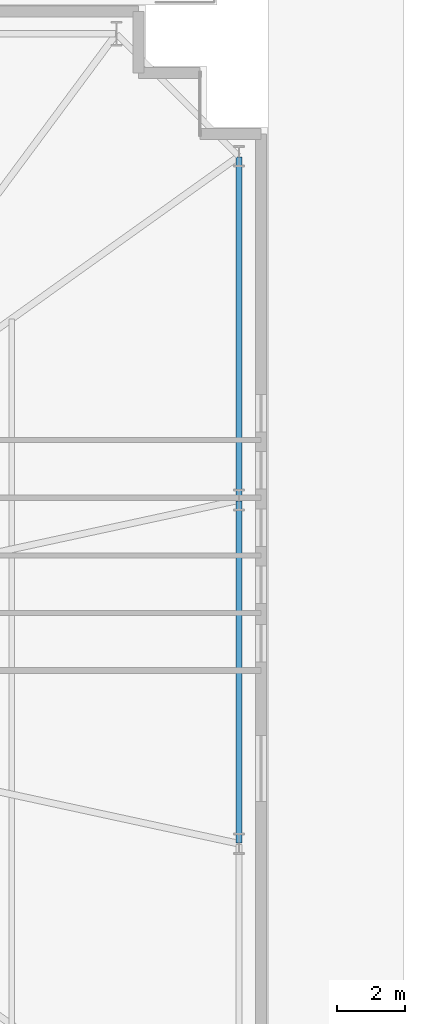
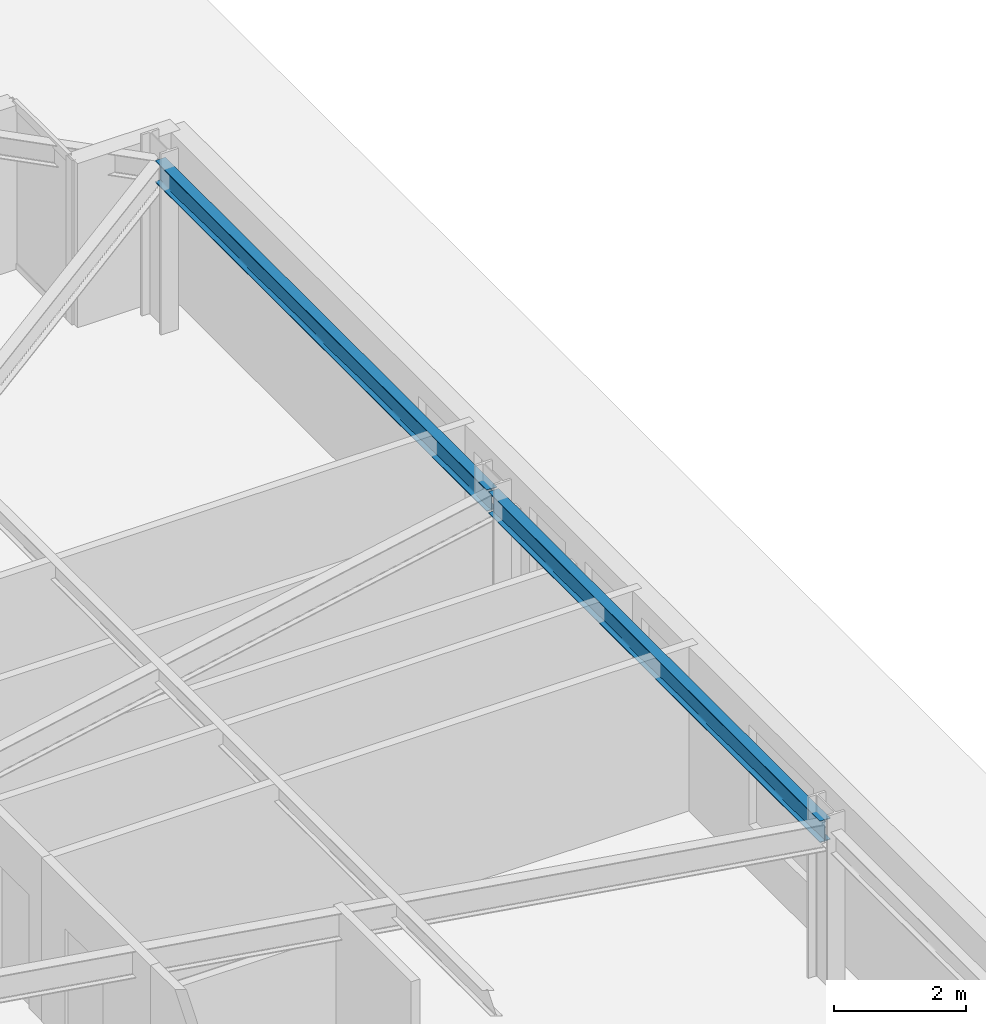
# One storey, part 9 of 21: 2 beams.
"""IFC4 building model written with IfcOpenShell, lengths in metres."""

from ifc_helpers import new_model, si_unit, direction, frame, origin, origin_2d, place, context, subcontext, project, spatial, i_section, extrude, material, material_profile, profile_set, type_object, element, save


model = new_model("IFC4")

# Units and contexts
model_context = context("Model", 3, precision=1e-05, world=origin(), true_north=direction((0.0, 1.0)))
body_context = subcontext(model_context, "Body", "Model", "MODEL_VIEW")
ifc_project = project(units=[si_unit("LENGTHUNIT", "METRE"), si_unit("AREAUNIT", "SQUARE_METRE"), si_unit("VOLUMEUNIT", "CUBIC_METRE"), si_unit("PLANEANGLEUNIT", "RADIAN"), si_unit("MASSUNIT", "GRAM", prefix="KILO")], contexts=[model_context])

# Site, building, storey
site_placement = place(None, origin())
site = spatial("IfcSite", under=ifc_project, at=site_placement, CompositionType="ELEMENT")
building_placement = place(site_placement, origin())
building = spatial("IfcBuilding", under=site, at=building_placement, Name="Qobustan Lattice House", CompositionType="ELEMENT")
storey_placement = place(building_placement, frame((0.0, 0.0, 27.0)))
storey = spatial("IfcBuildingStorey", under=building, at=storey_placement, Name="L06", CompositionType="ELEMENT", Elevation=27.0)

# Beams
ifc_material = material(Name="Steel S355", Category="steel")
ifc_material_profile = material_profile(ifc_material, i_section(OverallWidth=0.179931640625, OverallDepth=0.39990234375, WebThickness=0.008544921875, FlangeThickness=0.013427734375, FilletRadius=0.02099609375, at=origin_2d()), Name="IPE400")
ifc_profile_set = profile_set([ifc_material_profile], Name="Steel S355")
beam_type = type_object("IfcBeamType", Name="BM-SPD-IPE400", PredefinedType="SPANDREL", material=ifc_profile_set)
beam_1_placement = place(storey_placement, frame((32.14990234375, -5.02490234375, 2.8349609375), z_axis=(0.0, 1.0, 0.0), x_axis=(-1.0, 0.0, 0.0)))
element("IfcBeam", 1, at=beam_1_placement, inside=storey, type_object=beam_type, Name="L06 perimeter spandrel E2-E3", PredefinedType="SPANDREL", context=body_context, shape_type="SweptSolid", body=[
    extrude(i_section(OverallWidth=0.179931640625, OverallDepth=0.39990234375, WebThickness=0.008544921875, FlangeThickness=0.013427734375, FilletRadius=0.02099609375, at=origin_2d()), origin(), (0.0, 0.0, 1.0), 10.0498046875),
])
beam_2_placement = place(storey_placement, frame((32.14990234375, 5.074951171875, 2.8349609375), z_axis=(0.0, 1.0, 0.0), x_axis=(-1.0, 0.0, 0.0)))
element("IfcBeam", 2, at=beam_2_placement, inside=storey, type_object=beam_type, Name="L06 perimeter spandrel E3-E4", PredefinedType="SPANDREL", context=body_context, shape_type="SweptSolid", body=[
    extrude(i_section(OverallWidth=0.179931640625, OverallDepth=0.39990234375, WebThickness=0.008544921875, FlangeThickness=0.013427734375, FilletRadius=0.02099609375, at=origin_2d()), origin(), (0.0, 0.0, 1.0), 10.050048828125),
])

save(model, "model.ifc")
